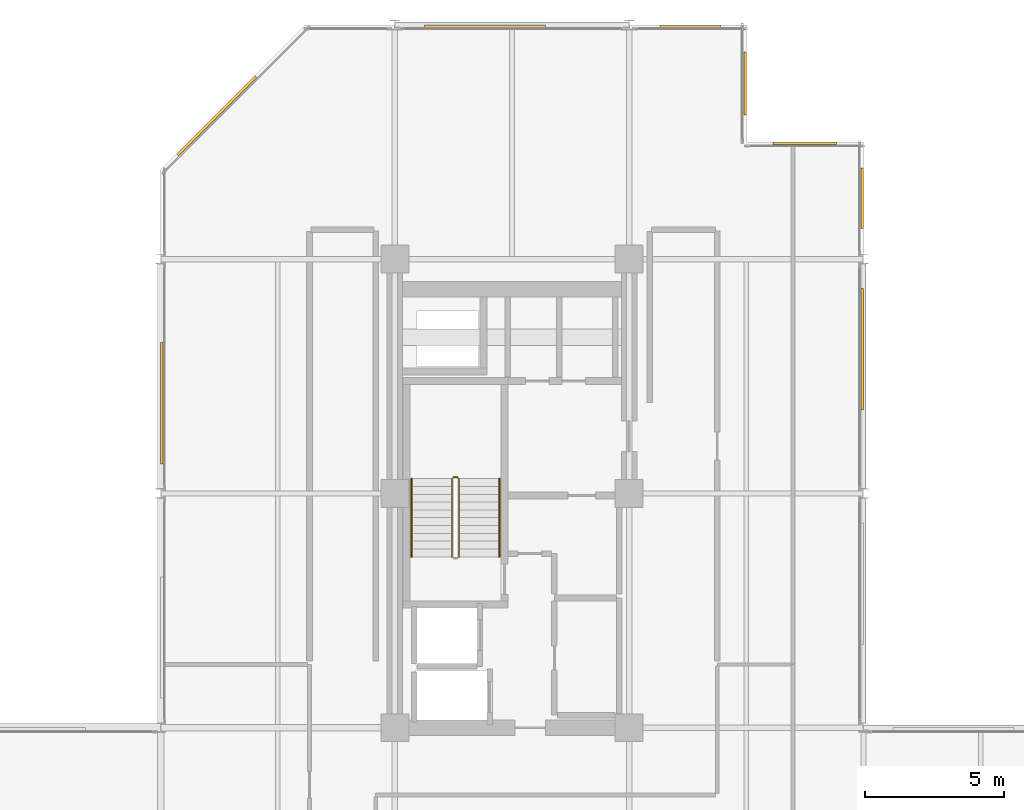
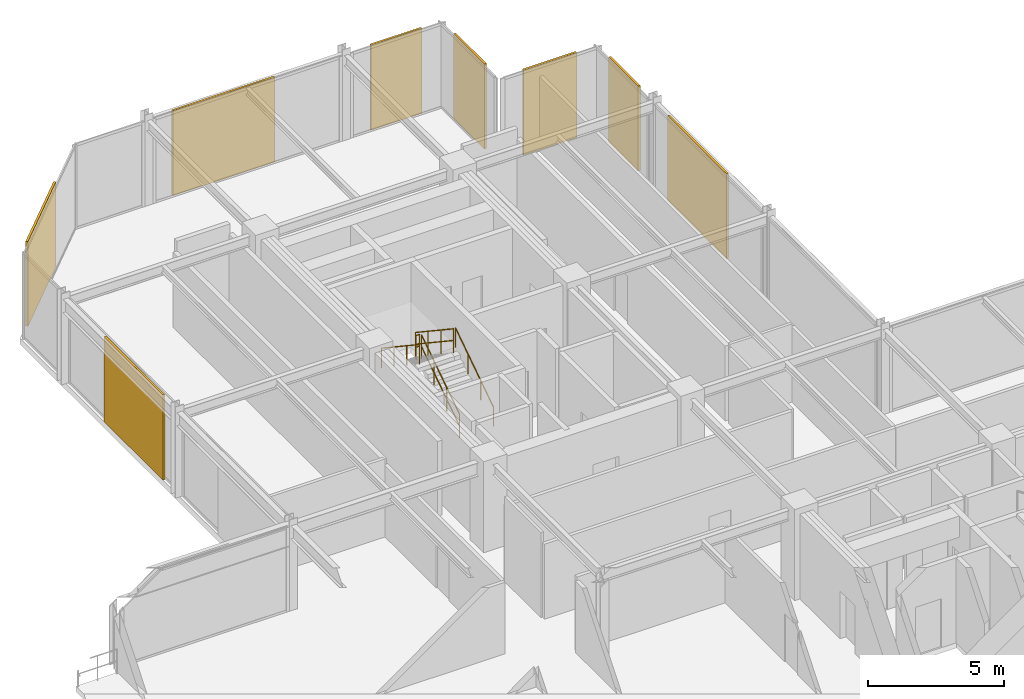
# One storey, part 29 of 29: 8 coverings, 5 railings.
"""IFC4 building model written with IfcOpenShell, lengths in metres."""

from ifc_helpers import new_model, si_unit, direction, frame, origin, origin_2d, place, context, subcontext, project, spatial, rectangle, circle, extrude, material, layer, layer_set, type_object, element, save


model = new_model("IFC4")

# Units and contexts
model_context = context("Model", 3, precision=1e-05, world=origin(), true_north=direction((0.0, 1.0)))
body_context = subcontext(model_context, "Body", "Model", "MODEL_VIEW")
ifc_project = project(units=[si_unit("LENGTHUNIT", "METRE"), si_unit("AREAUNIT", "SQUARE_METRE"), si_unit("VOLUMEUNIT", "CUBIC_METRE"), si_unit("PLANEANGLEUNIT", "RADIAN"), si_unit("MASSUNIT", "GRAM", prefix="KILO")], contexts=[model_context])

# Site, building, storey
site_placement = place(None, origin())
site = spatial("IfcSite", under=ifc_project, at=site_placement, CompositionType="ELEMENT")
building_placement = place(site_placement, origin())
building = spatial("IfcBuilding", under=site, at=building_placement, Name="Nerrivon Quay Data Exchange", CompositionType="ELEMENT")
storey_placement = place(building_placement, frame((0.0, 0.0, 212.39990234375)))
storey = spatial("IfcBuildingStorey", under=building, at=storey_placement, Name="L50", CompositionType="ELEMENT", Elevation=212.39990234375)

# Coverings
ifc_material_1 = material(Name="Architectural terracotta ceramic", Category="masonry")
ifc_layer = layer(ifc_material_1, 0.090087890625)
ifc_layer_set = layer_set([ifc_layer], Name="Architectural terracotta ceramic")
covering_type = type_object("IfcCoveringType", Name="COV-SCR-TERR", PredefinedType="CLADDING", material=ifc_layer_set)
covering_1_placement = place(storey_placement, frame((0.044921875, 36.833984375, 0.0), z_axis=(0.0, 0.0, 1.0), x_axis=(0.0, 1.0, 0.0)))
element("IfcCovering", 1, at=covering_1_placement, inside=storey, type_object=covering_type, Name="L50 Perforated Terracotta SOLAR SCREEN Cassette", PredefinedType="CLADDING", context=body_context, shape_type="SweptSolid", body=[
    extrude(rectangle(XDim=4.346923828125, YDim=0.090087890625, at=origin_2d()), origin(), (0.0, 0.0, 1.0), 3.824951171875),
])
covering_2_placement = place(storey_placement, frame((2.0078125, 47.144287109375, 0.0), z_axis=(0.0, 0.0, 1.0), x_axis=(0.707106781187, 0.707106781187, 0.0)))
element("IfcCovering", 2, at=covering_2_placement, inside=storey, type_object=covering_type, Name="L50 Perforated Terracotta SOLAR SCREEN Cassette", PredefinedType="CLADDING", context=body_context, shape_type="SweptSolid", body=[
    extrude(rectangle(XDim=3.970947265625, YDim=0.090087890625, at=origin_2d()), origin(), (0.0, 0.0, 1.0), 3.824951171875),
])
covering_3_placement = place(storey_placement, frame((11.634033203125, 50.35498046875, 0.0), z_axis=(0.0, 0.0, 1.0), x_axis=(1.0, 0.0, 0.0)))
element("IfcCovering", 3, at=covering_3_placement, inside=storey, type_object=covering_type, Name="L50 Perforated Terracotta SOLAR SCREEN Cassette", PredefinedType="CLADDING", context=body_context, shape_type="SweptSolid", body=[
    extrude(rectangle(XDim=4.346923828125, YDim=0.090087890625, at=origin_2d()), origin(), (0.0, 0.0, 1.0), 3.824951171875),
])
covering_4_placement = place(storey_placement, frame((18.987548828125, 50.35498046875, 0.0), z_axis=(0.0, 0.0, 1.0), x_axis=(1.0, 0.0, 0.0)))
element("IfcCovering", 4, at=covering_4_placement, inside=storey, type_object=covering_type, Name="L50 Perforated Terracotta SOLAR SCREEN Cassette", PredefinedType="CLADDING", context=body_context, shape_type="SweptSolid", body=[
    extrude(rectangle(XDim=2.173095703125, YDim=0.090087890625, at=origin_2d()), origin(), (0.0, 0.0, 1.0), 3.824951171875),
])
for number, where, z_axis, x_axis, name in (
    (5, (20.955078125, 48.300048828125, 0.0), (0.0, 0.0, 1.0), (0.0, -1.0, 0.0), "L50 Perforated Terracotta SOLAR SCREEN Cassette"),
    (6, (23.10009765625, 46.155029296875, 0.0), (0.0, 0.0, 1.0), (1.0, 0.0, 0.0), "L50 Perforated Terracotta SOLAR SCREEN Cassette"),
):
    element("IfcCovering", number, at=place(storey_placement, frame(where, z_axis=z_axis, x_axis=x_axis)), inside=storey, type_object=covering_type, Name=name, PredefinedType="CLADDING", context=body_context, shape_type="SweptSolid", body=[
        extrude(rectangle(XDim=2.26806640625, YDim=0.090087890625, at=origin_2d()), origin(), (0.0, 0.0, 1.0), 3.824951171875),
    ])
covering_5_placement = place(storey_placement, frame((25.155029296875, 44.1875, 0.0), z_axis=(0.0, 0.0, 1.0), x_axis=(0.0, -1.0, 0.0)))
element("IfcCovering", 7, at=covering_5_placement, inside=storey, type_object=covering_type, Name="L50 Perforated Terracotta SOLAR SCREEN Cassette", PredefinedType="CLADDING", context=body_context, shape_type="SweptSolid", body=[
    extrude(rectangle(XDim=2.174072265625, YDim=0.090087890625, at=origin_2d()), origin(), (0.0, 0.0, 1.0), 3.824951171875),
])
covering_6_placement = place(storey_placement, frame((25.155029296875, 38.76611328125, 0.0), z_axis=(0.0, 0.0, 1.0), x_axis=(0.0, -1.0, 0.0)))
element("IfcCovering", 8, at=covering_6_placement, inside=storey, type_object=covering_type, Name="L50 Perforated Terracotta SOLAR SCREEN Cassette", PredefinedType="CLADDING", context=body_context, shape_type="SweptSolid", body=[
    extrude(rectangle(XDim=4.346923828125, YDim=0.090087890625, at=origin_2d()), origin(), (0.0, 0.0, 1.0), 3.824951171875),
])

# Railings
ifc_material_2 = material(Name="Steel Grade C350L0 (350 MPa)", Category="steel")
railing_type_1 = type_object("IfcRailingType", Name="RAIL-HAND-HR1", PredefinedType="HANDRAIL", material=ifc_material_2)
railing_1_placement = place(storey_placement, frame((12.14990234375, 31.330078125, 0.1865234375)))
element("IfcRailing", 9, at=railing_1_placement, inside=storey, type_object=railing_type_1, Name="L50 ST01 stair handrail 1", PredefinedType="HANDRAIL", context=body_context, shape_type="SweptSolid", body=[
    extrude(circle(Radius=0.02392578125, at=origin_2d()), frame((0.0, 0.0, 0.8759765625), z_axis=(0.0, 0.832463268671, 0.554080234545), x_axis=(-1.0, 0.0, 0.0)), (0.0, 0.0, 1.0), 3.36328125),
    extrude(circle(Radius=0.02099609375, at=origin_2d()), origin(), (0.0, 0.0, 1.0), 0.851806640625),
    extrude(circle(Radius=0.02099609375, at=origin_2d()), frame((0.0, 0.933349609375, 0.62109375)), (0.0, 0.0, 1.0), 0.851806640625),
    extrude(circle(Radius=0.02099609375, at=origin_2d()), frame((0.0, 1.866455078125, 1.242431640625)), (0.0, 0.0, 1.0), 0.851806640625),
    extrude(circle(Radius=0.02099609375, at=origin_2d()), frame((0.0, 2.7998046875, 1.863525390625)), (0.0, 0.0, 1.0), 0.851806640625),
])
railing_2_placement = place(storey_placement, frame((9.0, 34.1298828125, 2.236572265625)))
element("IfcRailing", 10, at=railing_2_placement, inside=storey, type_object=railing_type_1, Name="L50 ST01 stair handrail 2", PredefinedType="HANDRAIL", context=body_context, shape_type="SweptSolid", body=[
    extrude(circle(Radius=0.02392578125, at=origin_2d()), frame((0.0, 0.0, 0.8759765625), z_axis=(0.0, -0.832463268671, 0.554080234545), x_axis=(1.0, 0.0, 0.0)), (0.0, 0.0, 1.0), 3.36328125),
    extrude(circle(Radius=0.02099609375, at=origin_2d()), origin(), (0.0, 0.0, 1.0), 0.851806640625),
    extrude(circle(Radius=0.02099609375, at=origin_2d()), frame((0.0, -0.933349609375, 0.62109375)), (0.0, 0.0, 1.0), 0.851806640625),
    extrude(circle(Radius=0.02099609375, at=origin_2d()), frame((0.0, -1.866455078125, 1.242431640625)), (0.0, 0.0, 1.0), 0.851806640625),
    extrude(circle(Radius=0.02099609375, at=origin_2d()), frame((0.0, -2.7998046875, 1.863525390625)), (0.0, 0.0, 1.0), 0.851806640625),
])
railing_type_2 = type_object("IfcRailingType", Name="RAIL-STAIR-GR1", PredefinedType="BALUSTRADE", material=ifc_material_2)
railing_3_placement = place(storey_placement, frame((10.699951171875, 31.330078125, 0.1865234375)))
element("IfcRailing", 11, at=railing_3_placement, inside=storey, type_object=railing_type_2, Name="L50 ST01 stair guard 1", PredefinedType="BALUSTRADE", context=body_context, shape_type="SweptSolid", body=[
    extrude(circle(Radius=0.02392578125, at=origin_2d()), frame((0.0, 0.0, 1.076171875), z_axis=(0.0, 0.832463268671, 0.554080234545), x_axis=(-1.0, 0.0, 0.0)), (0.0, 0.0, 1.0), 3.36328125),
    extrude(circle(Radius=0.02392578125, at=origin_2d()), frame((0.0, 0.0, 0.550048828125), z_axis=(0.0, 0.832463268671, 0.554080234545), x_axis=(-1.0, 0.0, 0.0)), (0.0, 0.0, 1.0), 3.36328125),
    extrude(circle(Radius=0.02099609375, at=origin_2d()), origin(), (0.0, 0.0, 1.0), 1.052001953125),
    extrude(circle(Radius=0.02099609375, at=origin_2d()), frame((0.0, 0.933349609375, 0.62109375)), (0.0, 0.0, 1.0), 1.052001953125),
    extrude(circle(Radius=0.02099609375, at=origin_2d()), frame((0.0, 1.866455078125, 1.242431640625)), (0.0, 0.0, 1.0), 1.052001953125),
    extrude(circle(Radius=0.02099609375, at=origin_2d()), frame((0.0, 2.7998046875, 1.863525390625)), (0.0, 0.0, 1.0), 1.052001953125),
])
railing_4_placement = place(storey_placement, frame((10.64990234375, 34.179931640625, 2.050048828125)))
element("IfcRailing", 12, at=railing_4_placement, inside=storey, type_object=railing_type_2, Name="L50 ST01 stair guard 2", PredefinedType="BALUSTRADE", context=body_context, shape_type="SweptSolid", body=[
    extrude(circle(Radius=0.02392578125, at=origin_2d()), frame((0.0, 0.0, 1.076171875), z_axis=(-1.0, 0.0, 0.0), x_axis=(0.0, -1.0, 0.0)), (0.0, 0.0, 1.0), 0.14990234375),
    extrude(circle(Radius=0.02392578125, at=origin_2d()), frame((0.0, 0.0, 0.550048828125), z_axis=(-1.0, 0.0, 0.0), x_axis=(0.0, -1.0, 0.0)), (0.0, 0.0, 1.0), 0.14990234375),
    extrude(circle(Radius=0.02099609375, at=origin_2d()), origin(), (0.0, 0.0, 1.0), 1.052001953125),
    extrude(circle(Radius=0.02099609375, at=origin_2d()), frame((-0.14990234375, 0.0, 0.0)), (0.0, 0.0, 1.0), 1.052001953125),
])
railing_5_placement = place(storey_placement, frame((10.449951171875, 34.1298828125, 2.236572265625)))
element("IfcRailing", 13, at=railing_5_placement, inside=storey, type_object=railing_type_2, Name="L50 ST01 stair guard 3", PredefinedType="BALUSTRADE", context=body_context, shape_type="SweptSolid", body=[
    extrude(circle(Radius=0.02392578125, at=origin_2d()), frame((0.0, 0.0, 1.076171875), z_axis=(0.0, -0.832463268671, 0.554080234545), x_axis=(1.0, 0.0, 0.0)), (0.0, 0.0, 1.0), 3.36328125),
    extrude(circle(Radius=0.02392578125, at=origin_2d()), frame((0.0, 0.0, 0.550048828125), z_axis=(0.0, -0.832463268671, 0.554080234545), x_axis=(1.0, 0.0, 0.0)), (0.0, 0.0, 1.0), 3.36328125),
    extrude(circle(Radius=0.02099609375, at=origin_2d()), origin(), (0.0, 0.0, 1.0), 1.052001953125),
    extrude(circle(Radius=0.02099609375, at=origin_2d()), frame((0.0, -0.933349609375, 0.62109375)), (0.0, 0.0, 1.0), 1.052001953125),
    extrude(circle(Radius=0.02099609375, at=origin_2d()), frame((0.0, -1.866455078125, 1.242431640625)), (0.0, 0.0, 1.0), 1.052001953125),
    extrude(circle(Radius=0.02099609375, at=origin_2d()), frame((0.0, -2.7998046875, 1.863525390625)), (0.0, 0.0, 1.0), 1.052001953125),
])

save(model, "model.ifc")
